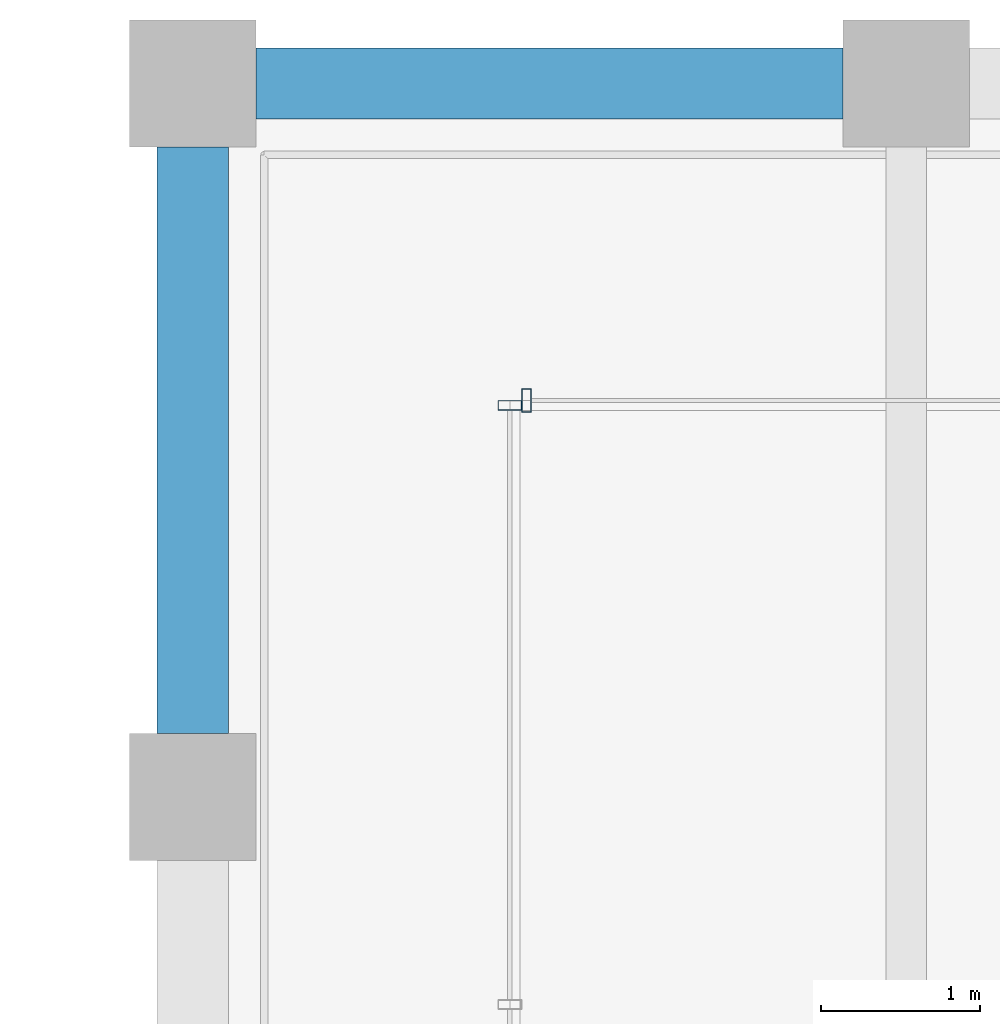
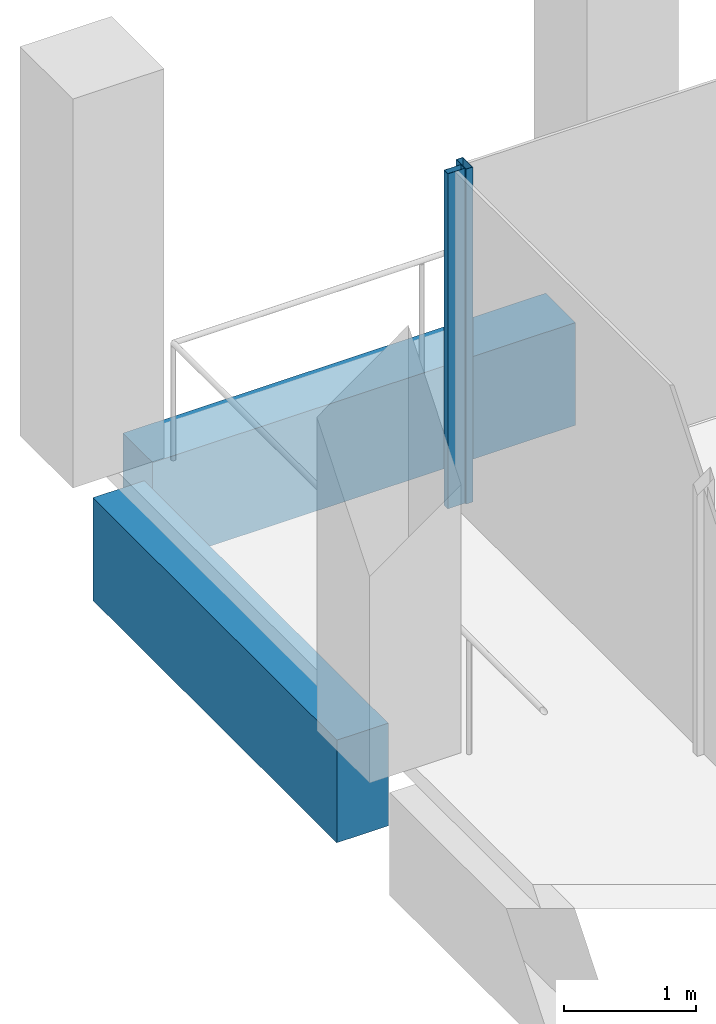
# One storey, part 21 of 30: 2 beams, 2 members, 2 elements without a shape of their own.
"""IFC4 building model written with IfcOpenShell, lengths in metres."""

from ifc_helpers import new_model, si_unit, direction, frame, origin, origin_2d, place, context, subcontext, project, spatial, rectangle, hollow_rectangle, extrude, material, material_profile, profile_set, type_object, element, aggregate, save


model = new_model("IFC4")

# Units and contexts
model_context = context("Model", 3, precision=1e-05, world=origin(), true_north=direction((0.0, 1.0)))
body_context = subcontext(model_context, "Body", "Model", "MODEL_VIEW")
ifc_project = project(units=[si_unit("LENGTHUNIT", "METRE"), si_unit("AREAUNIT", "SQUARE_METRE"), si_unit("VOLUMEUNIT", "CUBIC_METRE"), si_unit("PLANEANGLEUNIT", "RADIAN"), si_unit("MASSUNIT", "GRAM", prefix="KILO")], contexts=[model_context])

# Site, building, storey
site_placement = place(None, origin())
site = spatial("IfcSite", under=ifc_project, at=site_placement, CompositionType="ELEMENT")
building_placement = place(site_placement, origin())
building = spatial("IfcBuilding", under=site, at=building_placement, Name="Altepetl Exchange Towers", CompositionType="ELEMENT")
storey_placement = place(building_placement, frame((0.0, 0.0, 231.60009765625)))
storey = spatial("IfcBuildingStorey", under=building, at=storey_placement, Name="L59", CompositionType="ELEMENT", Elevation=231.60009765625)

# Curtain wall, member
ifc_material_1 = material(Name="Aluminium 6063-T6 glazing", Category="aluminium")
curtain_wall_type = type_object("IfcCurtainWallType", Name="Loggia glazing system", PredefinedType="NOTDEFINED", material=ifc_material_1)
curtain_wall_1_placement = place(storey_placement, origin())
curtain_wall_1 = element("IfcCurtainWall", 1, at=curtain_wall_1_placement, inside=storey, type_object=curtain_wall_type, Name="CW1 run", PredefinedType="NOTDEFINED")
ifc_material_2 = material(Name="Aluminium 6063-T6", Category="aluminium")
ifc_material_profile_1 = material_profile(ifc_material_2, hollow_rectangle(XDim=0.06005859375, YDim=0.14990234375, WallThickness=0.0029296875, at=origin_2d()), Name="Mullion 60x150 aluminium")
ifc_profile_set_1 = profile_set([ifc_material_profile_1], Name="Aluminium 6063-T6")
member_type = type_object("IfcMemberType", Name="Mullion 60x150 aluminium", PredefinedType="MULLION", material=ifc_profile_set_1)
member_1_placement = place(storey_placement, frame((42.60498046875, 70.0, 0.0), z_axis=(0.0, 0.0, 1.0), x_axis=(-1.0, 0.0, 0.0)))
member_1 = element("IfcMember", 2, at=member_1_placement, type_object=member_type, Name="MU1 mullion", PredefinedType="MULLION", context=body_context, shape_type="SweptSolid", body=[
    extrude(hollow_rectangle(XDim=0.06005859375, YDim=0.14990234375, WallThickness=0.0029296875, at=origin_2d()), origin(), (0.0, 0.0, 1.0), 3.099853515625),
])
aggregate(curtain_wall_1, [member_1])

curtain_wall_2_placement = place(storey_placement, origin())
curtain_wall_2 = element("IfcCurtainWall", 3, at=curtain_wall_2_placement, inside=storey, type_object=curtain_wall_type, Name="CW1 run", PredefinedType="NOTDEFINED")
member_2_placement = place(storey_placement, frame((42.5, 69.969970703125, 0.0), z_axis=(0.0, 0.0, 1.0), x_axis=(0.0, -1.0, 0.0)))
member_2 = element("IfcMember", 4, at=member_2_placement, type_object=member_type, Name="MU1 mullion", PredefinedType="MULLION", context=body_context, shape_type="SweptSolid", body=[
    extrude(hollow_rectangle(XDim=0.06005859375, YDim=0.14990234375, WallThickness=0.0029296875, at=origin_2d()), origin(), (0.0, 0.0, 1.0), 3.099853515625),
])
aggregate(curtain_wall_2, [member_2])

# Beams
ifc_material_3 = material(Name="Concrete C50/60 precast with cantera rosa facing", Category="concrete")
ifc_material_profile_2 = material_profile(ifc_material_3, rectangle(XDim=0.449951171875, YDim=0.949951171875, at=origin_2d()), Name="450 x 950")
ifc_profile_set_2 = profile_set([ifc_material_profile_2], Name="Concrete C50/60 precast with cantera rosa facing")
beam_type_1 = type_object("IfcBeamType", Name="Spandrel beam 450x950 cantera rosa", PredefinedType="SPANDREL", material=ifc_profile_set_2)
beam_1_placement = place(storey_placement, frame((44.60009765625, 72.0, -0.625), z_axis=(-1.0, 0.0, 0.0), x_axis=(0.0, -1.0, 0.0)))
element("IfcBeam", 5, at=beam_1_placement, inside=storey, type_object=beam_type_1, Name="sp:A:L59:029", PredefinedType="SPANDREL", context=body_context, shape_type="SweptSolid", body=[
    extrude(rectangle(XDim=0.449951171875, YDim=0.949951171875, at=origin_2d()), origin(), (0.0, 0.0, 1.0), 3.7001953125),
])
ifc_material_4 = material(Name="Concrete C50/60 precast with tezontle facing", Category="concrete")
ifc_material_profile_3 = material_profile(ifc_material_4, rectangle(XDim=0.449951171875, YDim=0.949951171875, at=origin_2d()), Name="450 x 950")
ifc_profile_set_3 = profile_set([ifc_material_profile_3], Name="Concrete C50/60 precast with tezontle facing")
beam_type_2 = type_object("IfcBeamType", Name="Spandrel beam 450x950 tezontle", PredefinedType="SPANDREL", material=ifc_profile_set_3)
beam_2_placement = place(storey_placement, frame((40.5, 71.60009765625, -0.625), z_axis=(0.0, -1.0, 0.0), x_axis=(1.0, 0.0, 0.0)))
element("IfcBeam", 6, at=beam_2_placement, inside=storey, type_object=beam_type_2, Name="sp:A:L59:030", PredefinedType="SPANDREL", context=body_context, shape_type="SweptSolid", body=[
    extrude(rectangle(XDim=0.449951171875, YDim=0.949951171875, at=origin_2d()), origin(), (0.0, 0.0, 1.0), 3.7001953125),
])

save(model, "model.ifc")
